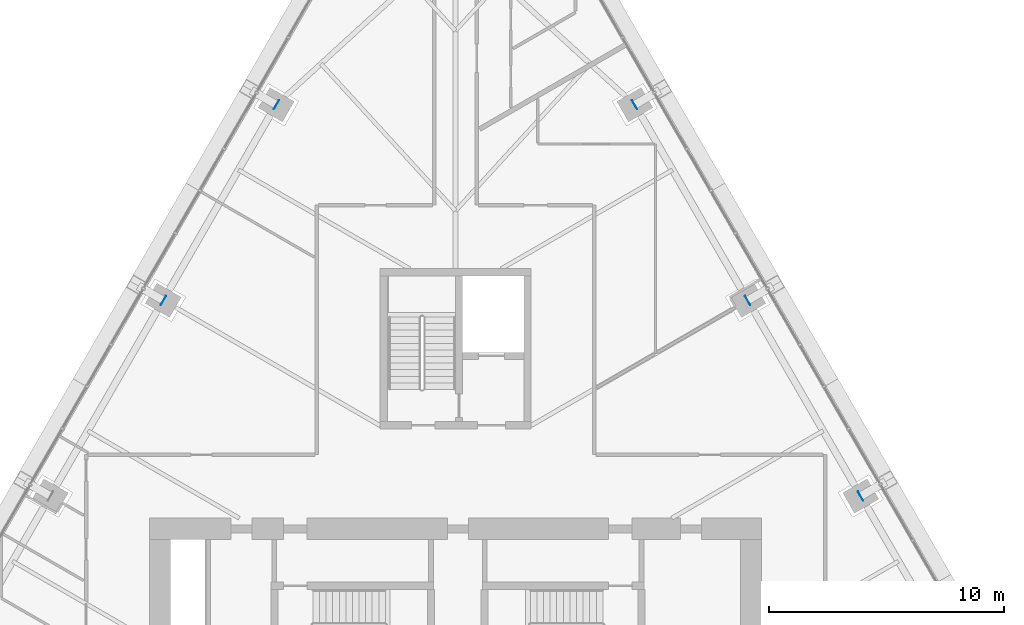
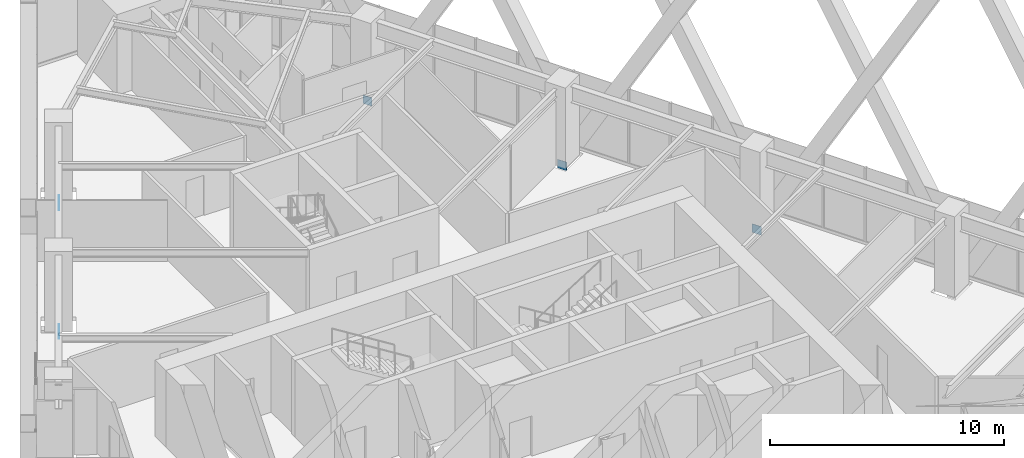
# One storey, part 24 of 26: 5 discrete accessories.
"""IFC4 building model written with IfcOpenShell, lengths in metres."""

from ifc_helpers import new_model, si_unit, direction, frame, origin, origin_2d, place, context, subcontext, project, spatial, rectangle, extrude, material, layer, layer_set, type_object, element, save


model = new_model("IFC4")

# Units and contexts
model_context = context("Model", 3, precision=1e-05, world=origin(), true_north=direction((0.0, 1.0)))
body_context = subcontext(model_context, "Body", "Model", "MODEL_VIEW")
ifc_project = project(units=[si_unit("LENGTHUNIT", "METRE"), si_unit("AREAUNIT", "SQUARE_METRE"), si_unit("VOLUMEUNIT", "CUBIC_METRE"), si_unit("PLANEANGLEUNIT", "RADIAN"), si_unit("MASSUNIT", "GRAM", prefix="KILO")], contexts=[model_context])

# Site, building, storey
site_placement = place(None, origin())
site = spatial("IfcSite", under=ifc_project, at=site_placement, CompositionType="ELEMENT")
building_placement = place(site_placement, origin())
building = spatial("IfcBuilding", under=site, at=building_placement, Name="Firuza Gate Tower and Library", CompositionType="ELEMENT")
storey_placement = place(building_placement, frame((0.0, 0.0, 40.0)))
storey = spatial("IfcBuildingStorey", under=building, at=storey_placement, Name="L08", CompositionType="ELEMENT", Elevation=40.0)

# Discrete accessories
ifc_material = material(Name="Steel S355", Category="steel")
ifc_layer = layer(ifc_material, 0.02001953125)
ifc_layer_set = layer_set([ifc_layer], Name="Tie end plate 450x450x20 Steel S355")
discrete_accessory_type = type_object("IfcDiscreteAccessoryType", Name="Tie end plate 450x450x20 Steel S355", PredefinedType="BRACKET", material=ifc_layer_set)
for number, where, z_axis, x_axis, name in (
    (1, (82.61181640625, 101.56494140625, -0.56298828125), (0.0, 0.0, 1.0), (-0.866025429964, -0.499999954655, 0.0), "Tie end plate"),
    (2, (87.411865234375, 93.251220703125, -0.56298828125), (0.0, 0.0, 1.0), (-0.866025429964, -0.499999954655, 0.0), "Tie end plate"),
    (3, (92.2119140625, 84.937255859375, -0.56298828125), (0.0, 0.0, 1.0), (-0.866025429964, -0.499999954655, 0.0), "Tie end plate"),
    (4, (62.588134765625, 93.251220703125, -0.56298828125), (0.0, 0.0, 1.0), (0.866025429964, -0.499999954655, 0.0), "Tie end plate"),
    (5, (67.38818359375, 101.56494140625, -0.56298828125), (0.0, 0.0, 1.0), (0.866025429964, -0.499999954655, 0.0), "Tie end plate"),
):
    element("IfcDiscreteAccessory", number, at=place(storey_placement, frame(where, z_axis=z_axis, x_axis=x_axis)), inside=storey, type_object=discrete_accessory_type, Name=name, PredefinedType="BRACKET", context=body_context, shape_type="SweptSolid", body=[
        extrude(rectangle(XDim=0.02001953125, YDim=0.446044921875, at=origin_2d()), origin(), (0.0, 0.0, 1.0), 0.446044921875),
    ])

save(model, "model.ifc")
